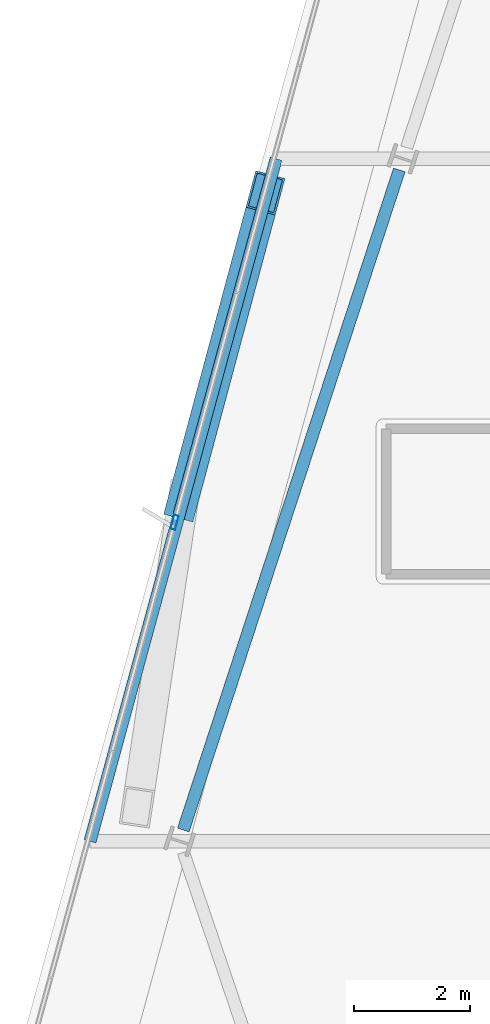
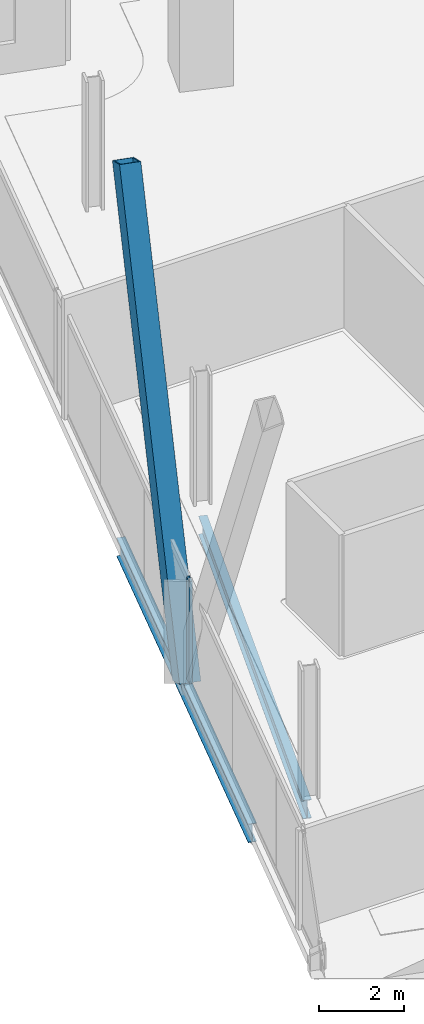
# One storey, part 5 of 26: 2 beams, 2 members, 1 element without a shape of its own.
"""IFC4 building model written with IfcOpenShell, lengths in metres."""

import ifcopenshell
import ifcopenshell.guid

model = None  # the IFC model being written
_history = None  # IfcOwnerHistory: only IFC2X3 demands one
_inside = {}  # id of a spatial element -> (the spatial element, [elements in it])
_under = {}  # id of a project, library or spatial element -> (it, [spatial elements below it])
_declared = {}  # id of a project -> (the project, [libraries it declares])
_typed = {}  # id of a type object -> (the type object, [elements of that type])
_made_of = {}  # id of a material, layer set ... -> (it, [elements and type objects made of it])


def new_model(schema):
    """Start an empty IFC model of exactly this schema.

    Asked for "IFC4X3", IfcOpenShell would pick the latest addendum, in which some entities
    have other attributes; the version numbers below select the first issue.
    IFC2X3 requires an IfcOwnerHistory on every rooted entity: one is made here for all.
    """
    global model, _history
    if schema == "IFC4X3":
        model = ifcopenshell.file(schema_version=(4, 3, 0, 0))
    else:
        model = ifcopenshell.file(schema=schema)
    _inside.clear()
    _under.clear()
    _declared.clear()
    _typed.clear()
    _made_of.clear()
    _history = None
    if model.schema == "IFC2X3":
        org = make("IfcOrganization", Name="unknown")
        user = make(
            "IfcPersonAndOrganization",
            ThePerson=make("IfcPerson", FamilyName="unknown"),
            TheOrganization=org,
        )
        app = make(
            "IfcApplication",
            ApplicationDeveloper=org,
            Version="unknown",
            ApplicationFullName="unknown",
            ApplicationIdentifier="unknown",
        )
        _history = make(
            "IfcOwnerHistory",
            OwningUser=user,
            OwningApplication=app,
            ChangeAction="ADDED",
            CreationDate=0,
        )
    return model


def make(cls, **values):
    """One entity of the class cls with the attributes given. An attribute that is None is left unset."""
    return model.create_entity(
        cls, **{name: value for name, value in values.items() if value is not None}
    )


def rooted(cls, **values):
    """An entity with a GlobalId (a new one), such as an element, a storey or a relation."""
    return make(cls, GlobalId=ifcopenshell.guid.new(), OwnerHistory=_history, **values)


def si_unit(unit_type, name, prefix=None):
    """IfcSIUnit, for example si_unit("LENGTHUNIT", "METRE", prefix="MILLI")."""
    return make("IfcSIUnit", UnitType=unit_type, Prefix=prefix, Name=name)


def assignment(units):
    """IfcUnitAssignment: the units of a project."""
    return None if units is None else make("IfcUnitAssignment", Units=units)


def point(xyz):
    """IfcCartesianPoint."""
    return None if xyz is None else make("IfcCartesianPoint", Coordinates=xyz)


def direction(xyz):
    """IfcDirection."""
    return None if xyz is None else make("IfcDirection", DirectionRatios=xyz)


def frame(location, z_axis=None, x_axis=None):
    """IfcAxis2Placement3D, a coordinate frame: its origin and axes. An axis left out is left unset."""
    return make(
        "IfcAxis2Placement3D",
        Location=point(location),
        Axis=direction(z_axis),
        RefDirection=direction(x_axis),
    )


def frame_2d(location, x_axis=None):
    """IfcAxis2Placement2D, a coordinate frame in the plane: its origin and x axis."""
    return make(
        "IfcAxis2Placement2D", Location=point(location), RefDirection=direction(x_axis)
    )


def origin():
    """The frame at (0, 0, 0) with its axes left unset."""
    return frame((0.0, 0.0, 0.0))


def origin_2d():
    """The frame at (0, 0) in the plane with its x axis left unset."""
    return frame_2d((0.0, 0.0))


def place(relative_to, where):
    """IfcLocalPlacement: puts the frame where relative to a parent placement (None: the world)."""
    return make(
        "IfcLocalPlacement", PlacementRelTo=relative_to, RelativePlacement=where
    )


def context(
    kind, dimensions, precision=None, world=None, true_north=None, identifier=None
):
    """IfcGeometricRepresentationContext, for example the 3D "Model" context."""
    return make(
        "IfcGeometricRepresentationContext",
        ContextIdentifier=identifier,
        ContextType=kind,
        CoordinateSpaceDimension=dimensions,
        Precision=precision,
        WorldCoordinateSystem=world,
        TrueNorth=true_north,
    )


def subcontext(parent, identifier, kind, view, scale=None):
    """IfcGeometricRepresentationSubContext, for example "Body" below "Model"."""
    return make(
        "IfcGeometricRepresentationSubContext",
        ContextIdentifier=identifier,
        ContextType=kind,
        ParentContext=parent,
        TargetScale=scale,
        TargetView=view,
    )


def project(units=None, contexts=None):
    """IfcProject with its units and contexts."""
    return rooted(
        "IfcProject",
        Name="project",
        RepresentationContexts=contexts,
        UnitsInContext=assignment(units),
    )


def spatial(cls, under=None, at=None, **own):
    """A site, building, storey or space (cls), placed at a placement, below another one or the project."""
    s = rooted(cls, ObjectPlacement=at, **own)
    if under is not None:
        _under.setdefault(under.id(), (under, []))[1].append(s)
    return s


def profile(cls, at=None, kind="AREA", **sizes):
    """A parametric profile (cls). Its sizes go by their IFC names, for example OverallWidth=200.0."""
    return make(cls, ProfileType=kind, Position=at, **sizes)


def hollow_rectangle(**sizes):
    """IfcRectangleHollowProfileDef."""
    return profile("IfcRectangleHollowProfileDef", **sizes)


def i_section(**sizes):
    """IfcIShapeProfileDef."""
    return profile("IfcIShapeProfileDef", **sizes)


def extrude(swept, where, along, depth):
    """IfcExtrudedAreaSolid: the profile swept, set in the frame where, extruded along a direction by depth."""
    return make(
        "IfcExtrudedAreaSolid",
        SweptArea=swept,
        Position=where,
        ExtrudedDirection=direction(along),
        Depth=depth,
    )


def shape(context_of_items, identifier, shape_type, items):
    """IfcShapeRepresentation: the items that make up one representation, for example the "Body"."""
    return make(
        "IfcShapeRepresentation",
        ContextOfItems=context_of_items,
        RepresentationIdentifier=identifier,
        RepresentationType=shape_type,
        Items=items,
    )


def material(Name=None, Category=None):
    """IfcMaterial."""
    return make("IfcMaterial", Name=Name, Category=Category)


def material_profile(
    of_material, cross_section, Name=None, Category=None, Priority=None
):
    """IfcMaterialProfile: a cross section and its material."""
    return make(
        "IfcMaterialProfile",
        Name=Name,
        Material=of_material,
        Profile=cross_section,
        Priority=Priority,
        Category=Category,
    )


def profile_set(profiles, Name=None, composite=None):
    """IfcMaterialProfileSet."""
    return make(
        "IfcMaterialProfileSet",
        Name=Name,
        MaterialProfiles=profiles,
        CompositeProfile=composite,
    )


def made_of(thing, what):
    """Note that an element or type object is made of a material, layer set ...; save() writes the relation."""
    if what is not None:
        _made_of.setdefault(what.id(), (what, []))[1].append(thing)
    return thing


def type_object(cls, material=None, **own):
    """A type object (cls), such as IfcWallType, which elements share."""
    return made_of(rooted(cls, **own), material)


def element(
    cls,
    number,
    at=None,
    inside=None,
    cuts=None,
    type_object=None,
    material=None,
    context=None,
    identifier="Body",
    shape_type=None,
    held_by="IfcProductDefinitionShape",
    body=None,
    shapes=None,
    **own,
):
    """One element of the class cls, such as IfcWall. Its Tag is "e" and its number.

    at: its placement. inside: the storey or other place that contains it. cuts: it is an
    opening in that element (IfcRelVoidsElement). A single representation is given by context,
    identifier, shape_type and body (its items); several are given by shapes. held_by: the class
    of the entity that holds the representations. save() writes the other relations.
    """
    e = rooted(cls, Tag="e%d" % number, ObjectPlacement=at, **own)
    if body is not None:
        shapes = [shape(context, identifier, shape_type, body)]
    if shapes is not None:
        e.Representation = make(held_by, Representations=shapes)
    if inside is not None:
        _inside.setdefault(inside.id(), (inside, []))[1].append(e)
    if cuts is not None:
        rooted(
            "IfcRelVoidsElement", RelatingBuildingElement=cuts, RelatedOpeningElement=e
        )
    if type_object is not None:
        _typed.setdefault(type_object.id(), (type_object, []))[1].append(e)
    return made_of(e, material)


def aggregate(whole, parts):
    """IfcRelAggregates: a whole, such as a stair, and the parts it consists of."""
    return rooted("IfcRelAggregates", RelatingObject=whole, RelatedObjects=parts)


def save(model, path):
    """Write the relations noted so far, then the file.

    IfcRelAggregates (storeys below a building ...), IfcRelContainedInSpatialStructure (elements
    in a storey), IfcRelDefinesByType, IfcRelAssociatesMaterial and IfcRelDeclares: one each for
    every whole, place, type object, material and project.
    """
    for whole, parts in _under.values():
        aggregate(whole, parts)
    for where, things in _inside.values():
        rooted(
            "IfcRelContainedInSpatialStructure",
            RelatedElements=things,
            RelatingStructure=where,
        )
    for kind, things in _typed.values():
        rooted("IfcRelDefinesByType", RelatedObjects=things, RelatingType=kind)
    for what, things in _made_of.values():
        rooted("IfcRelAssociatesMaterial", RelatedObjects=things, RelatingMaterial=what)
    for by, libraries in _declared.values():
        rooted("IfcRelDeclares", RelatingContext=by, RelatedDefinitions=libraries)
    model.write(path)


model = new_model("IFC4")

# Units and contexts
model_context = context("Model", 3, precision=1e-05, world=origin(), true_north=direction((0.0, 1.0)))
body_context = subcontext(model_context, "Body", "Model", "MODEL_VIEW")
ifc_project = project(units=[si_unit("LENGTHUNIT", "METRE"), si_unit("AREAUNIT", "SQUARE_METRE"), si_unit("VOLUMEUNIT", "CUBIC_METRE"), si_unit("PLANEANGLEUNIT", "RADIAN"), si_unit("MASSUNIT", "GRAM", prefix="KILO")], contexts=[model_context])

# Site, building, storey
site_placement = place(None, origin())
site = spatial("IfcSite", under=ifc_project, at=site_placement, CompositionType="ELEMENT")
building_placement = place(site_placement, origin())
building = spatial("IfcBuilding", under=site, at=building_placement, Name="Haldenkirk Collegiate Tower", CompositionType="ELEMENT")
storey_placement = place(building_placement, frame((0.0, 0.0, 278.699951171875)))
storey = spatial("IfcBuildingStorey", under=building, at=storey_placement, Name="L70", CompositionType="ELEMENT", Elevation=278.699951171875)

# Beams
ifc_material_1 = material(Name="Steel ASTM A992 Grade 50", Category="steel")
ifc_material_profile_1 = material_profile(ifc_material_1, i_section(OverallWidth=0.2099609375, OverallDepth=0.537109375, WebThickness=0.010986328125, FlangeThickness=0.017333984375, at=origin_2d()), Name="W21X68")
ifc_profile_set_1 = profile_set([ifc_material_profile_1], Name="Steel ASTM A992 Grade 50")
beam_type = type_object("IfcBeamType", Name="BM-SPANDREL-W21X68", PredefinedType="SPANDREL", material=ifc_profile_set_1)
beam_1_placement = place(storey_placement, frame((17.9267578125, 31.701171875, -0.538330078125), z_axis=(-0.311010188249, -0.950406577631, 0.0), x_axis=(0.950406577631, -0.311010188249, 0.0)))
element("IfcBeam", 1, at=beam_1_placement, inside=storey, type_object=beam_type, Name="L70 perimeter spandrel beam 11", PredefinedType="SPANDREL", context=body_context, shape_type="SweptSolid", body=[
    extrude(i_section(OverallWidth=0.2099609375, OverallDepth=0.537109375, WebThickness=0.010986328125, FlangeThickness=0.017333984375, at=origin_2d()), origin(), (0.0, 0.0, 1.0), 11.94287109375),
])
beam_2_placement = place(storey_placement, frame((15.80908203125, 31.8935546875, -0.538330078125), z_axis=(-0.263029092747, -0.964787902271, 0.0), x_axis=(0.964787902271, -0.263029092747, 0.0)))
element("IfcBeam", 2, at=beam_2_placement, inside=storey, type_object=beam_type, Name="L70 outer facade edge beam 3", PredefinedType="SPANDREL", context=body_context, shape_type="SweptSolid", body=[
    extrude(i_section(OverallWidth=0.2099609375, OverallDepth=0.537109375, WebThickness=0.010986328125, FlangeThickness=0.017333984375, at=origin_2d()), origin(), (0.0, 0.0, 1.0), 12.163818359375),
])

# Curtain wall, member
ifc_material_2 = material(Name="Anodised architectural bronze aluminium", Category="aluminium")
curtain_wall_type = type_object("IfcCurtainWallType", Name="CW-SYS1B-CONVEX-HI", PredefinedType="USERDEFINED", material=ifc_material_2)
curtain_wall_placement = place(storey_placement, origin())
curtain_wall = element("IfcCurtainWall", 3, at=curtain_wall_placement, inside=storey, type_object=curtain_wall_type, Name="L70 Upper tower high-wind convex bronze unitised curtain wall", ObjectType="UNITISED CURTAIN WALL", PredefinedType="USERDEFINED")
ifc_material_profile_2 = material_profile(ifc_material_2, hollow_rectangle(XDim=0.0849609375, YDim=0.25, WallThickness=0.0048828125, at=origin_2d()), Name="CW-MUL-1B")
ifc_profile_set_2 = profile_set([ifc_material_profile_2], Name="Anodised architectural bronze aluminium")
member_type_1 = type_object("IfcMemberType", Name="CW-MUL-1B", PredefinedType="MULLION", material=ifc_profile_set_2)
member_1_placement = place(storey_placement, frame((14.06298828125, 25.640869140625, 0.0), z_axis=(0.0, 0.0, 1.0), x_axis=(-0.964786957297, 0.263032558878, 0.0)))
member_1 = element("IfcMember", 4, at=member_1_placement, type_object=member_type_1, Name="CW-1B mullion 2", PredefinedType="MULLION", context=body_context, shape_type="SweptSolid", body=[
    extrude(hollow_rectangle(XDim=0.0849609375, YDim=0.25, WallThickness=0.0048828125, at=origin_2d()), origin(), (0.0, 0.0, 1.0), 2.93798828125),
])
aggregate(curtain_wall, [member_1])

# Member
ifc_material_3 = material(Name="Steel ASTM A572 Grade 50", Category="steel")
ifc_material_profile_3 = material_profile(ifc_material_3, hollow_rectangle(XDim=0.52001953125, YDim=0.719970703125, WallThickness=0.035888671875, at=origin_2d()), Name="BOX720X520X36")
ifc_profile_set_3 = profile_set([ifc_material_profile_3], Name="Steel ASTM A572 Grade 50")
member_type_2 = type_object("IfcMemberType", Name="MBR-MEGABRACE-BOX720X520X36", PredefinedType="BRACE", material=ifc_profile_set_3)
member_2_placement = place(storey_placement, frame((14.20947265625, 26.02587890625, -0.280029296875), z_axis=(0.113131213982, 0.422173055075, 0.899428285074), x_axis=(-0.965919943202, 0.258841000083, 0.0)))
element("IfcMember", 5, at=member_2_placement, inside=storey, type_object=member_type_2, Name="Perimeter Mega Brace Z5 L70-L72 NL", PredefinedType="BRACE", context=body_context, shape_type="SweptSolid", body=[
    extrude(hollow_rectangle(XDim=0.52001953125, YDim=0.719970703125, WallThickness=0.035888671875, at=origin_2d()), origin(), (0.0, 0.0, 1.0), 12.508056640625),
])

save(model, "model.ifc")
